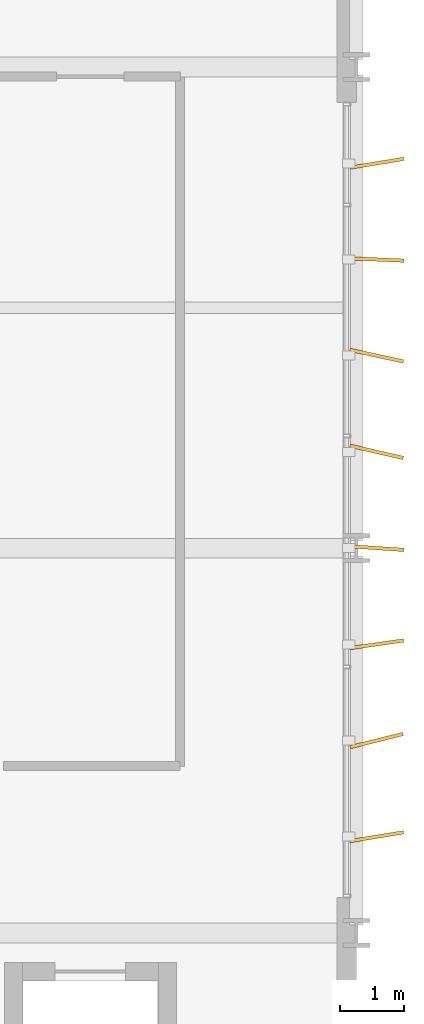
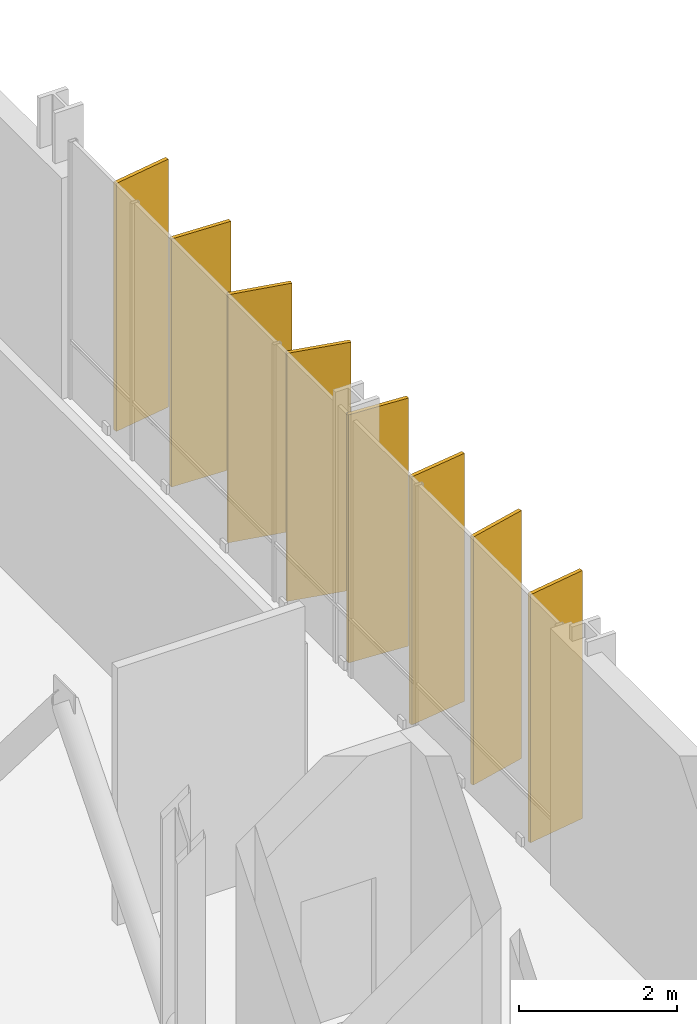
# One storey, part 32 of 32: 8 shading devices.
"""IFC4 building model written with IfcOpenShell, lengths in metres."""

import ifcopenshell
import ifcopenshell.guid

model = None  # the IFC model being written
_history = None  # IfcOwnerHistory: only IFC2X3 demands one
_inside = {}  # id of a spatial element -> (the spatial element, [elements in it])
_under = {}  # id of a project, library or spatial element -> (it, [spatial elements below it])
_declared = {}  # id of a project -> (the project, [libraries it declares])
_typed = {}  # id of a type object -> (the type object, [elements of that type])
_made_of = {}  # id of a material, layer set ... -> (it, [elements and type objects made of it])


def new_model(schema):
    """Start an empty IFC model of exactly this schema.

    Asked for "IFC4X3", IfcOpenShell would pick the latest addendum, in which some entities
    have other attributes; the version numbers below select the first issue.
    IFC2X3 requires an IfcOwnerHistory on every rooted entity: one is made here for all.
    """
    global model, _history
    if schema == "IFC4X3":
        model = ifcopenshell.file(schema_version=(4, 3, 0, 0))
    else:
        model = ifcopenshell.file(schema=schema)
    _inside.clear()
    _under.clear()
    _declared.clear()
    _typed.clear()
    _made_of.clear()
    _history = None
    if model.schema == "IFC2X3":
        org = make("IfcOrganization", Name="unknown")
        user = make(
            "IfcPersonAndOrganization",
            ThePerson=make("IfcPerson", FamilyName="unknown"),
            TheOrganization=org,
        )
        app = make(
            "IfcApplication",
            ApplicationDeveloper=org,
            Version="unknown",
            ApplicationFullName="unknown",
            ApplicationIdentifier="unknown",
        )
        _history = make(
            "IfcOwnerHistory",
            OwningUser=user,
            OwningApplication=app,
            ChangeAction="ADDED",
            CreationDate=0,
        )
    return model


def make(cls, **values):
    """One entity of the class cls with the attributes given. An attribute that is None is left unset."""
    return model.create_entity(
        cls, **{name: value for name, value in values.items() if value is not None}
    )


def rooted(cls, **values):
    """An entity with a GlobalId (a new one), such as an element, a storey or a relation."""
    return make(cls, GlobalId=ifcopenshell.guid.new(), OwnerHistory=_history, **values)


def si_unit(unit_type, name, prefix=None):
    """IfcSIUnit, for example si_unit("LENGTHUNIT", "METRE", prefix="MILLI")."""
    return make("IfcSIUnit", UnitType=unit_type, Prefix=prefix, Name=name)


def assignment(units):
    """IfcUnitAssignment: the units of a project."""
    return None if units is None else make("IfcUnitAssignment", Units=units)


def point(xyz):
    """IfcCartesianPoint."""
    return None if xyz is None else make("IfcCartesianPoint", Coordinates=xyz)


def direction(xyz):
    """IfcDirection."""
    return None if xyz is None else make("IfcDirection", DirectionRatios=xyz)


def frame(location, z_axis=None, x_axis=None):
    """IfcAxis2Placement3D, a coordinate frame: its origin and axes. An axis left out is left unset."""
    return make(
        "IfcAxis2Placement3D",
        Location=point(location),
        Axis=direction(z_axis),
        RefDirection=direction(x_axis),
    )


def frame_2d(location, x_axis=None):
    """IfcAxis2Placement2D, a coordinate frame in the plane: its origin and x axis."""
    return make(
        "IfcAxis2Placement2D", Location=point(location), RefDirection=direction(x_axis)
    )


def origin():
    """The frame at (0, 0, 0) with its axes left unset."""
    return frame((0.0, 0.0, 0.0))


def origin_2d():
    """The frame at (0, 0) in the plane with its x axis left unset."""
    return frame_2d((0.0, 0.0))


def place(relative_to, where):
    """IfcLocalPlacement: puts the frame where relative to a parent placement (None: the world)."""
    return make(
        "IfcLocalPlacement", PlacementRelTo=relative_to, RelativePlacement=where
    )


def context(
    kind, dimensions, precision=None, world=None, true_north=None, identifier=None
):
    """IfcGeometricRepresentationContext, for example the 3D "Model" context."""
    return make(
        "IfcGeometricRepresentationContext",
        ContextIdentifier=identifier,
        ContextType=kind,
        CoordinateSpaceDimension=dimensions,
        Precision=precision,
        WorldCoordinateSystem=world,
        TrueNorth=true_north,
    )


def subcontext(parent, identifier, kind, view, scale=None):
    """IfcGeometricRepresentationSubContext, for example "Body" below "Model"."""
    return make(
        "IfcGeometricRepresentationSubContext",
        ContextIdentifier=identifier,
        ContextType=kind,
        ParentContext=parent,
        TargetScale=scale,
        TargetView=view,
    )


def project(units=None, contexts=None):
    """IfcProject with its units and contexts."""
    return rooted(
        "IfcProject",
        Name="project",
        RepresentationContexts=contexts,
        UnitsInContext=assignment(units),
    )


def spatial(cls, under=None, at=None, **own):
    """A site, building, storey or space (cls), placed at a placement, below another one or the project."""
    s = rooted(cls, ObjectPlacement=at, **own)
    if under is not None:
        _under.setdefault(under.id(), (under, []))[1].append(s)
    return s


def profile(cls, at=None, kind="AREA", **sizes):
    """A parametric profile (cls). Its sizes go by their IFC names, for example OverallWidth=200.0."""
    return make(cls, ProfileType=kind, Position=at, **sizes)


def rectangle(**sizes):
    """IfcRectangleProfileDef."""
    return profile("IfcRectangleProfileDef", **sizes)


def extrude(swept, where, along, depth):
    """IfcExtrudedAreaSolid: the profile swept, set in the frame where, extruded along a direction by depth."""
    return make(
        "IfcExtrudedAreaSolid",
        SweptArea=swept,
        Position=where,
        ExtrudedDirection=direction(along),
        Depth=depth,
    )


def shape(context_of_items, identifier, shape_type, items):
    """IfcShapeRepresentation: the items that make up one representation, for example the "Body"."""
    return make(
        "IfcShapeRepresentation",
        ContextOfItems=context_of_items,
        RepresentationIdentifier=identifier,
        RepresentationType=shape_type,
        Items=items,
    )


def material(Name=None, Category=None):
    """IfcMaterial."""
    return make("IfcMaterial", Name=Name, Category=Category)


def layer(
    of_material, thickness, ventilated=None, Name=None, Category=None, Priority=None
):
    """IfcMaterialLayer: one layer of a wall or slab, of a material (None: an air gap)."""
    return make(
        "IfcMaterialLayer",
        Material=of_material,
        LayerThickness=thickness,
        IsVentilated=ventilated,
        Name=Name,
        Category=Category,
        Priority=Priority,
    )


def layer_set(layers, Name=None):
    """IfcMaterialLayerSet."""
    return make("IfcMaterialLayerSet", MaterialLayers=layers, LayerSetName=Name)


def made_of(thing, what):
    """Note that an element or type object is made of a material, layer set ...; save() writes the relation."""
    if what is not None:
        _made_of.setdefault(what.id(), (what, []))[1].append(thing)
    return thing


def type_object(cls, material=None, **own):
    """A type object (cls), such as IfcWallType, which elements share."""
    return made_of(rooted(cls, **own), material)


def element(
    cls,
    number,
    at=None,
    inside=None,
    cuts=None,
    type_object=None,
    material=None,
    context=None,
    identifier="Body",
    shape_type=None,
    held_by="IfcProductDefinitionShape",
    body=None,
    shapes=None,
    **own,
):
    """One element of the class cls, such as IfcWall. Its Tag is "e" and its number.

    at: its placement. inside: the storey or other place that contains it. cuts: it is an
    opening in that element (IfcRelVoidsElement). A single representation is given by context,
    identifier, shape_type and body (its items); several are given by shapes. held_by: the class
    of the entity that holds the representations. save() writes the other relations.
    """
    e = rooted(cls, Tag="e%d" % number, ObjectPlacement=at, **own)
    if body is not None:
        shapes = [shape(context, identifier, shape_type, body)]
    if shapes is not None:
        e.Representation = make(held_by, Representations=shapes)
    if inside is not None:
        _inside.setdefault(inside.id(), (inside, []))[1].append(e)
    if cuts is not None:
        rooted(
            "IfcRelVoidsElement", RelatingBuildingElement=cuts, RelatedOpeningElement=e
        )
    if type_object is not None:
        _typed.setdefault(type_object.id(), (type_object, []))[1].append(e)
    return made_of(e, material)


def aggregate(whole, parts):
    """IfcRelAggregates: a whole, such as a stair, and the parts it consists of."""
    return rooted("IfcRelAggregates", RelatingObject=whole, RelatedObjects=parts)


def save(model, path):
    """Write the relations noted so far, then the file.

    IfcRelAggregates (storeys below a building ...), IfcRelContainedInSpatialStructure (elements
    in a storey), IfcRelDefinesByType, IfcRelAssociatesMaterial and IfcRelDeclares: one each for
    every whole, place, type object, material and project.
    """
    for whole, parts in _under.values():
        aggregate(whole, parts)
    for where, things in _inside.values():
        rooted(
            "IfcRelContainedInSpatialStructure",
            RelatedElements=things,
            RelatingStructure=where,
        )
    for kind, things in _typed.values():
        rooted("IfcRelDefinesByType", RelatedObjects=things, RelatingType=kind)
    for what, things in _made_of.values():
        rooted("IfcRelAssociatesMaterial", RelatedObjects=things, RelatingMaterial=what)
    for by, libraries in _declared.values():
        rooted("IfcRelDeclares", RelatingContext=by, RelatedDefinitions=libraries)
    model.write(path)


model = new_model("IFC4")

# Units and contexts
model_context = context("Model", 3, precision=1e-05, world=origin(), true_north=direction((0.0, 1.0)))
body_context = subcontext(model_context, "Body", "Model", "MODEL_VIEW")
ifc_project = project(units=[si_unit("LENGTHUNIT", "METRE"), si_unit("AREAUNIT", "SQUARE_METRE"), si_unit("VOLUMEUNIT", "CUBIC_METRE"), si_unit("PLANEANGLEUNIT", "RADIAN"), si_unit("MASSUNIT", "GRAM", prefix="KILO")], contexts=[model_context])

# Site, building, storey
site_placement = place(None, origin())
site = spatial("IfcSite", under=ifc_project, at=site_placement, CompositionType="ELEMENT")
building_placement = place(site_placement, origin())
building = spatial("IfcBuilding", under=site, at=building_placement, Name="Brevholm Reach", CompositionType="ELEMENT")
storey_placement = place(building_placement, frame((0.0, 0.0, 96.199951171875)))
storey = spatial("IfcBuildingStorey", under=building, at=storey_placement, Name="L28", CompositionType="ELEMENT", Elevation=96.199951171875)

# Shading devices
ifc_material = material(Name="Perforated Champagne-Bronze Anodised Aluminium", Category="aluminium")
ifc_layer = layer(ifc_material, 0.054931640625)
ifc_layer_set = layer_set([ifc_layer], Name="Perforated Champagne-Bronze Anodised Aluminium")
shading_device_type = type_object("IfcShadingDeviceType", Name="SHD-FIN-850", PredefinedType="USERDEFINED", material=ifc_layer_set)
for number, where, z_axis, x_axis, name in (
    (1, (60.31494140625, 11.5, 0.06982421875), (0.0, 0.0, 1.0), (0.986895174209, 0.161362681941, 0.0), "L28 Perforated Solar Screen Fin 1"),
    (2, (60.31494140625, 13.0, 0.06982421875), (0.0, 0.0, 1.0), (0.970375897263, 0.241600120056, 0.0), "L28 Perforated Solar Screen Fin 2"),
    (3, (60.31494140625, 14.5, 0.06982421875), (0.0, 0.0, 1.0), (0.989905269172, 0.141730582676, 0.0), "L28 Perforated Solar Screen Fin 3"),
    (4, (60.31494140625, 16.0, 0.06982421875), (0.0, 0.0, 1.0), (0.997777110619, -0.066639609279, 0.0), "L28 Perforated Solar Screen Fin 4"),
    (5, (60.31494140625, 17.5, 0.06982421875), (0.0, 0.0, 1.0), (0.974714415418, -0.22345426462, 0.0), "L28 Perforated Solar Screen Fin 5"),
    (6, (60.31494140625, 19.0, 0.06982421875), (0.0, 0.0, 1.0), (0.977116164264, -0.212706373986, 0.0), "L28 Perforated Solar Screen Fin 6"),
    (7, (60.31494140625, 20.5, 0.06982421875), (0.0, 0.0, 1.0), (0.999122099079, -0.041893091706, 0.0), "L28 Perforated Solar Screen Fin 7"),
    (8, (60.31494140625, 22.0, 0.06982421875), (0.0, 0.0, 1.0), (0.986895174209, 0.161362681941, 0.0), "L28 Perforated Solar Screen Fin 8"),
):
    element("IfcShadingDevice", number, at=place(storey_placement, frame(where, z_axis=z_axis, x_axis=x_axis)), inside=storey, type_object=shading_device_type, Name=name, ObjectType="SCREEN", PredefinedType="USERDEFINED", context=body_context, shape_type="SweptSolid", body=[
        extrude(rectangle(XDim=0.85009765625, YDim=0.054931640625, at=origin_2d()), origin(), (0.0, 0.0, 1.0), 3.840087890625),
    ])

save(model, "model.ifc")
